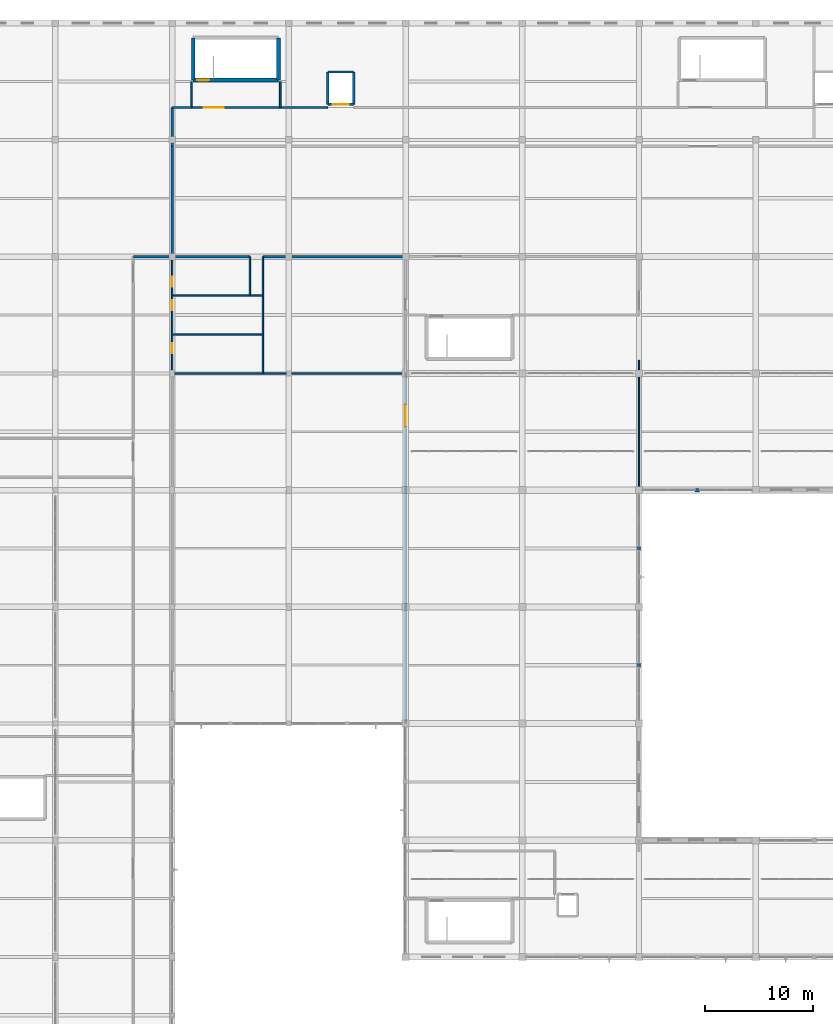
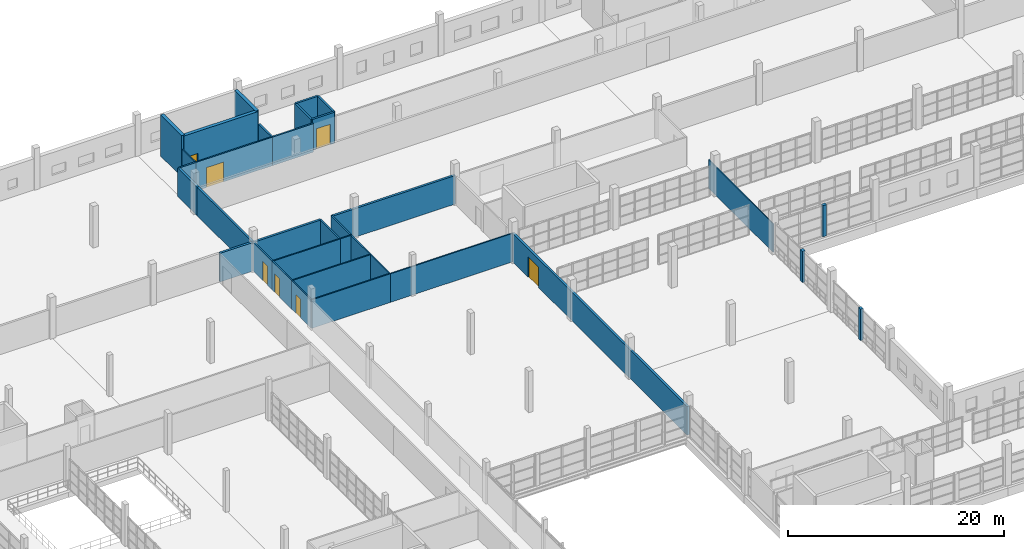
# One storey, part 107 of 142: 34 walls, 7 doors, 7 openings.
"""IFC4 building model written with IfcOpenShell, lengths in metres."""

from ifc_helpers import new_model, si_unit, direction, frame, frame_2d, origin, place, context, subcontext, project, spatial, rectangle, extrude, material, layer, layer_set, type_object, element, fill, save


model = new_model("IFC4")

# Units and contexts
model_context = context("Model", 3, precision=1e-05, world=origin(), true_north=direction((0.0, 1.0)))
body_context = subcontext(model_context, "Body", "Model", "MODEL_VIEW")
ifc_project = project(units=[si_unit("LENGTHUNIT", "METRE"), si_unit("AREAUNIT", "SQUARE_METRE"), si_unit("VOLUMEUNIT", "CUBIC_METRE"), si_unit("PLANEANGLEUNIT", "RADIAN"), si_unit("MASSUNIT", "GRAM", prefix="KILO")], contexts=[model_context])

# Site, building, storey
site_placement = place(None, origin())
site = spatial("IfcSite", under=ifc_project, at=site_placement, CompositionType="ELEMENT")
building_placement = place(site_placement, origin())
building = spatial("IfcBuilding", under=site, at=building_placement, Name="Zwinboog Wholesale Market", CompositionType="ELEMENT")
storey_placement = place(building_placement, frame((0.0, 0.0, 5.39990234375)))
storey = spatial("IfcBuildingStorey", under=building, at=storey_placement, Name="L01", CompositionType="ELEMENT", Elevation=5.39990234375)

# Walls
ifc_material_1 = material(Name="Precast concrete C45/55", Category="concrete")
ifc_layer_1 = layer(ifc_material_1, 0.304931640625)
ifc_layer_set_1 = layer_set([ifc_layer_1], Name="Precast concrete C45/55")
wall_type_1 = type_object("IfcWallType", Name="WT-EW-305", PredefinedType="STANDARD", material=ifc_layer_set_1)
for number, where, z_axis, x_axis, name in (
    (1, (86.39990234375, 70.0, 0.0), (0.0, 0.0, 1.0), (0.0, 1.0, 0.0), "EW-07 (WL-PIER-L01-125)"),
    (2, (86.39990234375, 80.800048828125, 0.0), (0.0, 0.0, 1.0), (0.0, 1.0, 0.0), "EW-07 (WL-PIER-L01-126)"),
    (3, (91.60009765625, 86.39990234375, 0.0), (0.0, 0.0, 1.0), (1.0, 0.0, 0.0), "EW-07 (WL-PIER-L01-130)"),
):
    element("IfcWall", number, at=place(storey_placement, frame(where, z_axis=z_axis, x_axis=x_axis)), inside=storey, type_object=wall_type_1, Name=name, PredefinedType="STANDARD", context=body_context, shape_type="SweptSolid", body=[
        extrude(rectangle(XDim=0.39990234375, YDim=0.304931640625, at=frame_2d((0.199951171875, 0.0))), origin(), (0.0, 0.0, 1.0), 3.530029296875),
    ])

# Wall, opening, door
ifc_material_2 = material(Name="Concrete C40/50", Category="concrete")
ifc_layer_2 = layer(ifc_material_2, 0.35009765625)
ifc_layer_set_2 = layer_set([ifc_layer_2], Name="Concrete C40/50")
wall_type_2 = type_object("IfcWallType", Name="WT-SW-350", PredefinedType="SHEAR", material=ifc_layer_set_2)
wall_1_placement = place(storey_placement, frame((45.14990234375, 124.35009765625, 0.0), z_axis=(0.0, 0.0, 1.0), x_axis=(1.0, 0.0, 0.0)))
wall_1 = element("IfcWall", 4, at=wall_1_placement, inside=storey, type_object=wall_type_2, Name="SW-04 (WL-SW-L01-021)", PredefinedType="SHEAR", context=body_context, shape_type="SweptSolid", body=[
    extrude(rectangle(XDim=7.900146484375, YDim=0.35009765625, at=frame_2d((3.9501953125, 0.0))), origin(), (0.0, 0.0, 1.0), 4.68017578125),
])
opening_1_placement = place(wall_1_placement, frame((0.3798828125, 0.0, 0.0)))
opening_1 = element("IfcOpeningElement", 5, at=opening_1_placement, cuts=wall_1, Name="Opening FD-0006", PredefinedType="OPENING", context=body_context, shape_type="SweptSolid", body=[
    extrude(rectangle(XDim=1.10009765625, YDim=2.199951171875, at=frame_2d((0.550048828125, 1.10009765625))), frame((0.0, 0.18505859375, 0.0), z_axis=(0.0, -1.0, 0.0), x_axis=(1.0, 0.0, 0.0)), (0.0, 0.0, 1.0), 0.3701171875),
])
ifc_material_3 = material(Name="Timber and powder-coated steel door leaf", Category="steel")
door_type_1 = type_object("IfcDoorType", Name="IDT-FD-02", OperationType="NOTDEFINED", PredefinedType="DOOR", material=ifc_material_3)
door_1_placement = place(opening_1_placement, frame((1.10009765625, 0.0, 0.0), z_axis=(0.0, 0.0, 1.0), x_axis=(-1.0, 0.0, 0.0)))
door_1 = element("IfcDoor", 6, at=door_1_placement, inside=storey, type_object=door_type_1, Name="Core Fire Door FD-0006", OperationType="SINGLE_SWING_LEFT", OverallHeight=2.199951171875, OverallWidth=1.10009765625, PredefinedType="DOOR", context=body_context, shape_type="SweptSolid", body=[
    extrude(rectangle(XDim=1.10009765625, YDim=2.199951171875, at=frame_2d((0.550048828125, 1.10009765625))), frame((0.0, 0.02490234375, 0.0), z_axis=(0.0, -1.0, 0.0), x_axis=(1.0, 0.0, 0.0)), (0.0, 0.0, 1.0), 0.050048828125),
])
fill(opening_1, door_1)

# Walls
for number, where, z_axis, x_axis, name in (
    (7, (45.14990234375, 124.35009765625, 0.0), (0.0, 0.0, 1.0), (0.0, 1.0, 0.0), "SW-04 (WL-SW-L01-023)"),
    (8, (53.050048828125, 124.35009765625, 0.0), (0.0, 0.0, 1.0), (0.0, 1.0, 0.0), "SW-04 (WL-SW-L01-024)"),
):
    element("IfcWall", number, at=place(storey_placement, frame(where, z_axis=z_axis, x_axis=x_axis)), inside=storey, type_object=wall_type_2, Name=name, PredefinedType="SHEAR", context=body_context, shape_type="SweptSolid", body=[
        extrude(rectangle(XDim=3.89990234375, YDim=0.35009765625, at=frame_2d((1.949951171875, 0.0))), origin(), (0.0, 0.0, 1.0), 4.68017578125),
    ])

# Wall, opening, door
ifc_layer_3 = layer(ifc_material_1, 0.199951171875)
ifc_layer_set_3 = layer_set([ifc_layer_3], Name="Precast concrete C45/55")
wall_type_3 = type_object("IfcWallType", Name="WT-IW-200", PredefinedType="SOLIDWALL", material=ifc_layer_set_3)
wall_2_placement = place(storey_placement, frame((57.60009765625, 122.10009765625, 0.0), z_axis=(0.0, 0.0, 1.0), x_axis=(1.0, 0.0, 0.0)))
wall_2 = element("IfcWall", 9, at=wall_2_placement, inside=storey, type_object=wall_type_3, Name="IW-60 (WL-LSH-L01-233)", PredefinedType="SOLIDWALL", context=body_context, shape_type="SweptSolid", body=[
    extrude(rectangle(XDim=2.39990234375, YDim=0.199951171875, at=frame_2d((1.199951171875, 0.0))), origin(), (0.0, 0.0, 1.0), 3.5),
])
opening_2_placement = place(wall_2_placement, frame((0.449951171875, 0.0, 0.0)))
opening_2 = element("IfcOpeningElement", 10, at=opening_2_placement, cuts=wall_2, Name="Opening LD-017", PredefinedType="OPENING", context=body_context, shape_type="SweptSolid", body=[
    extrude(rectangle(XDim=1.5, YDim=2.300048828125, at=frame_2d((0.75, 1.14990234375))), frame((0.0, 0.10986328125, 0.0), z_axis=(0.0, -1.0, 0.0), x_axis=(1.0, 0.0, 0.0)), (0.0, 0.0, 1.0), 0.219970703125),
])
door_type_2 = type_object("IfcDoorType", Name="IDT-LD-150", OperationType="DOUBLE_DOOR_SLIDING", PredefinedType="DOOR", material=ifc_material_3)
door_2_placement = place(opening_2_placement, origin())
door_2 = element("IfcDoor", 11, at=door_2_placement, inside=storey, type_object=door_type_2, Name="Lift Landing Door LD-017 (LG-01)", OperationType="DOUBLE_DOOR_SLIDING", OverallHeight=2.300048828125, OverallWidth=1.5, PredefinedType="DOOR", context=body_context, shape_type="SweptSolid", body=[
    extrude(rectangle(XDim=1.5, YDim=2.300048828125, at=frame_2d((0.75, 1.14990234375))), frame((0.0, 0.02490234375, 0.0), z_axis=(0.0, -1.0, 0.0), x_axis=(1.0, 0.0, 0.0)), (0.0, 0.0, 1.0), 0.050048828125),
])
fill(opening_2, door_2)

# Walls
wall_3_placement = place(storey_placement, frame((57.60009765625, 125.10009765625, 0.0), z_axis=(0.0, 0.0, 1.0), x_axis=(1.0, 0.0, 0.0)))
element("IfcWall", 12, at=wall_3_placement, inside=storey, type_object=wall_type_3, Name="IW-60 (WL-LSH-L01-234)", PredefinedType="SOLIDWALL", context=body_context, shape_type="SweptSolid", body=[
    extrude(rectangle(XDim=2.39990234375, YDim=0.199951171875, at=frame_2d((1.199951171875, 0.0))), origin(), (0.0, 0.0, 1.0), 3.5),
])
for number, where, z_axis, x_axis, name in (
    (13, (57.60009765625, 122.10009765625, 0.0), (0.0, 0.0, 1.0), (0.0, 1.0, 0.0), "IW-60 (WL-LSH-L01-235)"),
    (14, (60.0, 122.10009765625, 0.0), (0.0, 0.0, 1.0), (0.0, 1.0, 0.0), "IW-60 (WL-LSH-L01-236)"),
):
    element("IfcWall", number, at=place(storey_placement, frame(where, z_axis=z_axis, x_axis=x_axis)), inside=storey, type_object=wall_type_3, Name=name, PredefinedType="SOLIDWALL", context=body_context, shape_type="SweptSolid", body=[
        extrude(rectangle(XDim=3.0, YDim=0.199951171875, at=frame_2d((1.5, 0.0))), origin(), (0.0, 0.0, 1.0), 3.5),
    ])
ifc_layer_4 = layer(ifc_material_1, 0.235107421875)
ifc_layer_set_4 = layer_set([ifc_layer_4], Name="Precast concrete C45/55")
wall_type_4 = type_object("IfcWallType", Name="WT-IW-235", PredefinedType="PARTITIONING", material=ifc_layer_set_4)
wall_4_placement = place(storey_placement, frame((39.60009765625, 108.0, 0.0), z_axis=(0.0, 0.0, 1.0), x_axis=(1.0, 0.0, 0.0)))
element("IfcWall", 15, at=wall_4_placement, inside=storey, type_object=wall_type_4, Name="IW-03 (WL-IN-L01-0132)", PredefinedType="PARTITIONING", context=body_context, shape_type="SweptSolid", body=[
    extrude(rectangle(XDim=3.599853515625, YDim=0.235107421875, at=frame_2d((1.7998046875, 0.0))), origin(), (0.0, 0.0, 1.0), 3.22998046875),
])

# Wall, opening, door
wall_5_placement = place(storey_placement, frame((64.800048828125, 64.800048828125, 0.0), z_axis=(0.0, 0.0, 1.0), x_axis=(0.0, 1.0, 0.0)))
wall_5 = element("IfcWall", 16, at=wall_5_placement, inside=storey, type_object=wall_type_4, Name="IW-03 (WL-IN-L01-0138)", PredefinedType="PARTITIONING", context=body_context, shape_type="SweptSolid", body=[
    extrude(rectangle(XDim=32.39990234375, YDim=0.235107421875, at=frame_2d((16.199951171875, 0.0))), origin(), (0.0, 0.0, 1.0), 3.22998046875),
])
opening_3_placement = place(wall_5_placement, frame((27.531982421875, 0.0, 0.0)))
opening_3 = element("IfcOpeningElement", 17, at=opening_3_placement, cuts=wall_5, Name="Opening IDF-0065", PredefinedType="OPENING", context=body_context, shape_type="SweptSolid", body=[
    extrude(rectangle(XDim=1.9599609375, YDim=2.300048828125, at=frame_2d((0.97998046875, 1.14990234375))), frame((0.0, 0.12744140625, 0.0), z_axis=(0.0, -1.0, 0.0), x_axis=(1.0, 0.0, 0.0)), (0.0, 0.0, 1.0), 0.255126953125),
])
door_type_3 = type_object("IfcDoorType", Name="IDT-FD-05", OperationType="DOUBLE_DOOR_SINGLE_SWING", PredefinedType="DOOR", material=ifc_material_3)
door_3_placement = place(opening_3_placement, origin())
door_3 = element("IfcDoor", 18, at=door_3_placement, inside=storey, type_object=door_type_3, Name="Interior Door IDF-0065", OperationType="DOUBLE_DOOR_SINGLE_SWING", OverallHeight=2.300048828125, OverallWidth=1.9599609375, PredefinedType="DOOR", context=body_context, shape_type="SweptSolid", body=[
    extrude(rectangle(XDim=1.9599609375, YDim=2.300048828125, at=frame_2d((0.97998046875, 1.14990234375))), frame((0.0, 0.02490234375, 0.0), z_axis=(0.0, -1.0, 0.0), x_axis=(1.0, 0.0, 0.0)), (0.0, 0.0, 1.0), 0.050048828125),
])
fill(opening_3, door_3)

# Walls
wall_6_placement = place(storey_placement, frame((43.199951171875, 108.0, 0.0), z_axis=(0.0, 0.0, 1.0), x_axis=(1.0, 0.0, 0.0)))
element("IfcWall", 19, at=wall_6_placement, inside=storey, type_object=wall_type_4, Name="IW-03 (WL-IN-L01-0180)", PredefinedType="PARTITIONING", context=body_context, shape_type="SweptSolid", body=[
    extrude(rectangle(XDim=7.199951171875, YDim=0.235107421875, at=frame_2d((3.60009765625, 0.0))), origin(), (0.0, 0.0, 1.0), 3.22998046875),
])
wall_7_placement = place(storey_placement, frame((51.60009765625, 108.0, 0.0), z_axis=(0.0, 0.0, 1.0), x_axis=(1.0, 0.0, 0.0)))
element("IfcWall", 20, at=wall_7_placement, inside=storey, type_object=wall_type_4, Name="IW-03 (WL-IN-L01-0189)", PredefinedType="PARTITIONING", context=body_context, shape_type="SweptSolid", body=[
    extrude(rectangle(XDim=13.199951171875, YDim=0.235107421875, at=frame_2d((6.60009765625, 0.0))), origin(), (0.0, 0.0, 1.0), 3.22998046875),
])
ifc_material_4 = material(Name="Insulated PIR cold-store sandwich panel")
ifc_layer_5 = layer(ifc_material_4, 0.221923828125)
ifc_layer_set_5 = layer_set([ifc_layer_5], Name="Insulated PIR cold-store sandwich panel")
wall_type_5 = type_object("IfcWallType", Name="WT-CS-222", PredefinedType="PARTITIONING", material=ifc_layer_set_5)
wall_8_placement = place(storey_placement, frame((43.199951171875, 108.0, 0.0), z_axis=(0.0, 0.0, 1.0), x_axis=(0.0, 1.0, 0.0)))
element("IfcWall", 21, at=wall_8_placement, inside=storey, type_object=wall_type_5, Name="PW-CS1 (WL-IN-L01-0181)", PredefinedType="PARTITIONING", context=body_context, shape_type="SweptSolid", body=[
    extrude(rectangle(XDim=10.199951171875, YDim=0.221923828125, at=frame_2d((5.10009765625, 0.0))), origin(), (0.0, 0.0, 1.0), 3.22998046875),
])
ifc_material_5 = material(Name="Insulated PIR freezer sandwich panel")
ifc_layer_6 = layer(ifc_material_5, 0.251953125)
ifc_layer_set_6 = layer_set([ifc_layer_6], Name="Insulated PIR freezer sandwich panel")
wall_type_6 = type_object("IfcWallType", Name="WT-CS-252", PredefinedType="PARTITIONING", material=ifc_layer_set_6)
wall_9_placement = place(storey_placement, frame((43.199951171875, 118.199951171875, 0.0), z_axis=(0.0, 0.0, 1.0), x_axis=(0.0, 1.0, 0.0)))
element("IfcWall", 22, at=wall_9_placement, inside=storey, type_object=wall_type_6, Name="PW-CS2 (WL-IN-L01-0134)", PredefinedType="PARTITIONING", context=body_context, shape_type="SweptSolid", body=[
    extrude(rectangle(XDim=3.60009765625, YDim=0.251953125, at=frame_2d((1.800048828125, 0.0))), origin(), (0.0, 0.0, 1.0), 3.22998046875),
])
ifc_material_6 = material(Name="Gypsum acoustic stud partition")
ifc_layer_7 = layer(ifc_material_6, 0.10791015625)
ifc_layer_set_7 = layer_set([ifc_layer_7], Name="Gypsum acoustic stud partition")
wall_type_7 = type_object("IfcWallType", Name="WT-PT-108", PredefinedType="PARTITIONING", material=ifc_layer_set_7)
wall_10_placement = place(storey_placement, frame((86.39990234375, 86.39990234375, 0.0), z_axis=(0.0, 0.0, 1.0), x_axis=(0.0, 1.0, 0.0)))
element("IfcWall", 23, at=wall_10_placement, inside=storey, type_object=wall_type_7, Name="PW-01 (WL-IN-L01-0202)", PredefinedType="PARTITIONING", context=body_context, shape_type="SweptSolid", body=[
    extrude(rectangle(XDim=12.0, YDim=0.10791015625, at=frame_2d((6.0, 0.0))), origin(), (0.0, 0.0, 1.0), 3.22998046875),
])

# Wall, opening, door
ifc_material_7 = material(Name="Hygienic washable stud partition")
ifc_layer_8 = layer(ifc_material_7, 0.137939453125)
ifc_layer_set_8 = layer_set([ifc_layer_8], Name="Hygienic washable stud partition")
wall_type_8 = type_object("IfcWallType", Name="WT-PT-138", PredefinedType="PARTITIONING", material=ifc_layer_set_8)
wall_11_placement = place(storey_placement, frame((43.199951171875, 97.199951171875, 0.0), z_axis=(0.0, 0.0, 1.0), x_axis=(0.0, 1.0, 0.0)))
wall_11 = element("IfcWall", 24, at=wall_11_placement, inside=storey, type_object=wall_type_8, Name="PW-03 (WL-IN-L01-0127)", PredefinedType="PARTITIONING", context=body_context, shape_type="SweptSolid", body=[
    extrude(rectangle(XDim=3.60009765625, YDim=0.137939453125, at=frame_2d((1.800048828125, 0.0))), origin(), (0.0, 0.0, 1.0), 3.22998046875),
])
opening_4_placement = place(wall_11_placement, frame((1.8798828125, 0.0, 0.0)))
opening_4 = element("IfcOpeningElement", 25, at=opening_4_placement, cuts=wall_11, Name="Opening D-0058", PredefinedType="OPENING", context=body_context, shape_type="SweptSolid", body=[
    extrude(rectangle(XDim=0.919921875, YDim=2.139892578125, at=frame_2d((0.4599609375, 1.06982421875))), frame((0.0, 0.078857421875, 0.0), z_axis=(0.0, -1.0, 0.0), x_axis=(1.0, 0.0, 0.0)), (0.0, 0.0, 1.0), 0.157958984375),
])
door_type_4 = type_object("IfcDoorType", Name="IDT-WC-02", OperationType="NOTDEFINED", PredefinedType="DOOR", material=ifc_material_3)
door_4_placement = place(opening_4_placement, origin())
door_4 = element("IfcDoor", 26, at=door_4_placement, inside=storey, type_object=door_type_4, Name="Interior Door D-0058", OperationType="SINGLE_SWING_LEFT", OverallHeight=2.139892578125, OverallWidth=0.919921875, PredefinedType="DOOR", context=body_context, shape_type="SweptSolid", body=[
    extrude(rectangle(XDim=0.919921875, YDim=2.139892578125, at=frame_2d((0.4599609375, 1.06982421875))), frame((0.0, 0.02490234375, 0.0), z_axis=(0.0, -1.0, 0.0), x_axis=(1.0, 0.0, 0.0)), (0.0, 0.0, 1.0), 0.050048828125),
])
fill(opening_4, door_4)

wall_12_placement = place(storey_placement, frame((43.199951171875, 100.800048828125, 0.0), z_axis=(0.0, 0.0, 1.0), x_axis=(0.0, 1.0, 0.0)))
wall_12 = element("IfcWall", 27, at=wall_12_placement, inside=storey, type_object=wall_type_8, Name="PW-03 (WL-IN-L01-0128)", PredefinedType="PARTITIONING", context=body_context, shape_type="SweptSolid", body=[
    extrude(rectangle(XDim=3.599853515625, YDim=0.137939453125, at=frame_2d((1.7998046875, 0.0))), origin(), (0.0, 0.0, 1.0), 3.22998046875),
])
opening_5_placement = place(wall_12_placement, frame((2.25, 0.0, 0.0)))
opening_5 = element("IfcOpeningElement", 28, at=opening_5_placement, cuts=wall_12, Name="Opening D-0059", PredefinedType="OPENING", context=body_context, shape_type="SweptSolid", body=[
    extrude(rectangle(XDim=0.89990234375, YDim=2.10009765625, at=frame_2d((0.449951171875, 1.050048828125))), frame((0.0, 0.078857421875, 0.0), z_axis=(0.0, -1.0, 0.0), x_axis=(1.0, 0.0, 0.0)), (0.0, 0.0, 1.0), 0.157958984375),
])
door_type_5 = type_object("IfcDoorType", Name="IDT-WC-01", OperationType="NOTDEFINED", PredefinedType="DOOR", material=ifc_material_3)
door_5_placement = place(opening_5_placement, origin())
door_5 = element("IfcDoor", 29, at=door_5_placement, inside=storey, type_object=door_type_5, Name="Interior Door D-0059", OperationType="SINGLE_SWING_RIGHT", OverallHeight=2.10009765625, OverallWidth=0.89990234375, PredefinedType="DOOR", context=body_context, shape_type="SweptSolid", body=[
    extrude(rectangle(XDim=0.89990234375, YDim=2.10009765625, at=frame_2d((0.449951171875, 1.050048828125))), frame((0.0, 0.02490234375, 0.0), z_axis=(0.0, -1.0, 0.0), x_axis=(1.0, 0.0, 0.0)), (0.0, 0.0, 1.0), 0.050048828125),
])
fill(opening_5, door_5)

wall_13_placement = place(storey_placement, frame((43.199951171875, 104.39990234375, 0.0), z_axis=(0.0, 0.0, 1.0), x_axis=(0.0, 1.0, 0.0)))
wall_13 = element("IfcWall", 30, at=wall_13_placement, inside=storey, type_object=wall_type_8, Name="PW-03 (WL-IN-L01-0129)", PredefinedType="PARTITIONING", context=body_context, shape_type="SweptSolid", body=[
    extrude(rectangle(XDim=3.60009765625, YDim=0.137939453125, at=frame_2d((1.800048828125, 0.0))), origin(), (0.0, 0.0, 1.0), 3.22998046875),
])
opening_6_placement = place(wall_13_placement, frame((0.800048828125, 0.0, 0.0)))
opening_6 = element("IfcOpeningElement", 31, at=opening_6_placement, cuts=wall_13, Name="Opening D-0060", PredefinedType="OPENING", context=body_context, shape_type="SweptSolid", body=[
    extrude(rectangle(XDim=0.919921875, YDim=2.139892578125, at=frame_2d((0.4599609375, 1.06982421875))), frame((0.0, 0.078857421875, 0.0), z_axis=(0.0, -1.0, 0.0), x_axis=(1.0, 0.0, 0.0)), (0.0, 0.0, 1.0), 0.157958984375),
])
door_6_placement = place(opening_6_placement, frame((0.919921875, 0.0, 0.0), z_axis=(0.0, 0.0, 1.0), x_axis=(-1.0, 0.0, 0.0)))
door_6 = element("IfcDoor", 32, at=door_6_placement, inside=storey, type_object=door_type_4, Name="Interior Door D-0060", OperationType="SINGLE_SWING_LEFT", OverallHeight=2.139892578125, OverallWidth=0.919921875, PredefinedType="DOOR", context=body_context, shape_type="SweptSolid", body=[
    extrude(rectangle(XDim=0.919921875, YDim=2.139892578125, at=frame_2d((0.4599609375, 1.06982421875))), frame((0.0, 0.02490234375, 0.0), z_axis=(0.0, -1.0, 0.0), x_axis=(1.0, 0.0, 0.0)), (0.0, 0.0, 1.0), 0.050048828125),
])
fill(opening_6, door_6)

# Walls
wall_14_placement = place(storey_placement, frame((43.199951171875, 97.199951171875, 0.0), z_axis=(0.0, 0.0, 1.0), x_axis=(1.0, 0.0, 0.0)))
element("IfcWall", 33, at=wall_14_placement, inside=storey, type_object=wall_type_8, Name="PW-03 (WL-IN-L01-0133)", PredefinedType="PARTITIONING", context=body_context, shape_type="SweptSolid", body=[
    extrude(rectangle(XDim=8.400146484375, YDim=0.137939453125, at=frame_2d((4.2001953125, 0.0))), origin(), (0.0, 0.0, 1.0), 3.22998046875),
])
wall_15_placement = place(storey_placement, frame((51.60009765625, 97.199951171875, 0.0), z_axis=(0.0, 0.0, 1.0), x_axis=(1.0, 0.0, 0.0)))
element("IfcWall", 34, at=wall_15_placement, inside=storey, type_object=wall_type_8, Name="PW-03 (WL-IN-L01-0136)", PredefinedType="PARTITIONING", context=body_context, shape_type="SweptSolid", body=[
    extrude(rectangle(XDim=13.199951171875, YDim=0.137939453125, at=frame_2d((6.60009765625, 0.0))), origin(), (0.0, 0.0, 1.0), 3.22998046875),
])
wall_16_placement = place(storey_placement, frame((43.199951171875, 100.800048828125, 0.0), z_axis=(0.0, 0.0, 1.0), x_axis=(1.0, 0.0, 0.0)))
element("IfcWall", 35, at=wall_16_placement, inside=storey, type_object=wall_type_8, Name="PW-03 (WL-IN-L01-0178)", PredefinedType="PARTITIONING", context=body_context, shape_type="SweptSolid", body=[
    extrude(rectangle(XDim=8.400146484375, YDim=0.137939453125, at=frame_2d((4.2001953125, 0.0))), origin(), (0.0, 0.0, 1.0), 3.22998046875),
])
wall_17_placement = place(storey_placement, frame((43.199951171875, 104.39990234375, 0.0), z_axis=(0.0, 0.0, 1.0), x_axis=(1.0, 0.0, 0.0)))
element("IfcWall", 36, at=wall_17_placement, inside=storey, type_object=wall_type_8, Name="PW-03 (WL-IN-L01-0179)", PredefinedType="PARTITIONING", context=body_context, shape_type="SweptSolid", body=[
    extrude(rectangle(XDim=7.199951171875, YDim=0.137939453125, at=frame_2d((3.60009765625, 0.0))), origin(), (0.0, 0.0, 1.0), 3.22998046875),
])
wall_18_placement = place(storey_placement, frame((50.39990234375, 104.39990234375, 0.0), z_axis=(0.0, 0.0, 1.0), x_axis=(1.0, 0.0, 0.0)))
element("IfcWall", 37, at=wall_18_placement, inside=storey, type_object=wall_type_8, Name="PW-03 (WL-IN-L01-0184)", PredefinedType="PARTITIONING", context=body_context, shape_type="SweptSolid", body=[
    extrude(rectangle(XDim=1.2001953125, YDim=0.137939453125, at=frame_2d((0.60009765625, 0.0))), origin(), (0.0, 0.0, 1.0), 3.22998046875),
])
for number, where, z_axis, x_axis, name in (
    (38, (50.39990234375, 104.39990234375, 0.0), (0.0, 0.0, 1.0), (0.0, 1.0, 0.0), "PW-03 (WL-IN-L01-0185)"),
    (39, (51.60009765625, 97.199951171875, 0.0), (0.0, 0.0, 1.0), (0.0, 1.0, 0.0), "PW-03 (WL-IN-L01-0186)"),
):
    element("IfcWall", number, at=place(storey_placement, frame(where, z_axis=z_axis, x_axis=x_axis)), inside=storey, type_object=wall_type_8, Name=name, PredefinedType="PARTITIONING", context=body_context, shape_type="SweptSolid", body=[
        extrude(rectangle(XDim=3.60009765625, YDim=0.137939453125, at=frame_2d((1.800048828125, 0.0))), origin(), (0.0, 0.0, 1.0), 3.22998046875),
    ])
wall_19_placement = place(storey_placement, frame((51.60009765625, 100.800048828125, 0.0), z_axis=(0.0, 0.0, 1.0), x_axis=(0.0, 1.0, 0.0)))
element("IfcWall", 40, at=wall_19_placement, inside=storey, type_object=wall_type_8, Name="PW-03 (WL-IN-L01-0187)", PredefinedType="PARTITIONING", context=body_context, shape_type="SweptSolid", body=[
    extrude(rectangle(XDim=3.599853515625, YDim=0.137939453125, at=frame_2d((1.7998046875, 0.0))), origin(), (0.0, 0.0, 1.0), 3.22998046875),
])
wall_20_placement = place(storey_placement, frame((51.60009765625, 104.39990234375, 0.0), z_axis=(0.0, 0.0, 1.0), x_axis=(0.0, 1.0, 0.0)))
element("IfcWall", 41, at=wall_20_placement, inside=storey, type_object=wall_type_8, Name="PW-03 (WL-IN-L01-0188)", PredefinedType="PARTITIONING", context=body_context, shape_type="SweptSolid", body=[
    extrude(rectangle(XDim=3.60009765625, YDim=0.137939453125, at=frame_2d((1.800048828125, 0.0))), origin(), (0.0, 0.0, 1.0), 3.22998046875),
])

# Wall, opening, door
ifc_material_8 = material(Name="Fire-rated corridor stud partition")
ifc_layer_9 = layer(ifc_material_8, 0.154052734375)
ifc_layer_set_9 = layer_set([ifc_layer_9], Name="Fire-rated corridor stud partition")
wall_type_9 = type_object("IfcWallType", Name="WT-PT-154", PredefinedType="PARTITIONING", material=ifc_layer_set_9)
wall_21_placement = place(storey_placement, frame((45.0, 121.800048828125, 0.0), z_axis=(0.0, 0.0, 1.0), x_axis=(1.0, 0.0, 0.0)))
wall_21 = element("IfcWall", 42, at=wall_21_placement, inside=storey, type_object=wall_type_9, Name="PW-04 (WL-IN-L01-0121)", PredefinedType="PARTITIONING", context=body_context, shape_type="SweptSolid", body=[
    extrude(rectangle(XDim=8.199951171875, YDim=0.154052734375, at=frame_2d((4.10009765625, 0.0))), origin(), (0.0, 0.0, 1.0), 3.22998046875),
])
opening_7_placement = place(wall_21_placement, frame((1.139892578125, 0.0, 0.0)))
opening_7 = element("IfcOpeningElement", 43, at=opening_7_placement, cuts=wall_21, Name="Opening IDF-0052", PredefinedType="OPENING", context=body_context, shape_type="SweptSolid", body=[
    extrude(rectangle(XDim=1.820068359375, YDim=2.25, at=frame_2d((0.91015625, 1.125))), frame((0.0, 0.0869140625, 0.0), z_axis=(0.0, -1.0, 0.0), x_axis=(1.0, 0.0, 0.0)), (0.0, 0.0, 1.0), 0.174072265625),
])
door_type_6 = type_object("IfcDoorType", Name="IDT-FD-04", OperationType="DOUBLE_DOOR_SINGLE_SWING", PredefinedType="DOOR", material=ifc_material_3)
door_7_placement = place(opening_7_placement, origin())
door_7 = element("IfcDoor", 44, at=door_7_placement, inside=storey, type_object=door_type_6, Name="Interior Door IDF-0052", OperationType="DOUBLE_DOOR_SINGLE_SWING", OverallHeight=2.25, OverallWidth=1.820068359375, PredefinedType="DOOR", context=body_context, shape_type="SweptSolid", body=[
    extrude(rectangle(XDim=1.820068359375, YDim=2.25, at=frame_2d((0.91015625, 1.125))), frame((0.0, 0.02490234375, 0.0), z_axis=(0.0, -1.0, 0.0), x_axis=(1.0, 0.0, 0.0)), (0.0, 0.0, 1.0), 0.050048828125),
])
fill(opening_7, door_7)

# Walls
wall_22_placement = place(storey_placement, frame((45.0, 121.800048828125, 0.0), z_axis=(0.0, 0.0, 1.0), x_axis=(0.0, 1.0, 0.0)))
element("IfcWall", 45, at=wall_22_placement, inside=storey, type_object=wall_type_9, Name="PW-04 (WL-IN-L01-0183)", PredefinedType="PARTITIONING", context=body_context, shape_type="SweptSolid", body=[
    extrude(rectangle(XDim=2.39990234375, YDim=0.154052734375, at=frame_2d((1.199951171875, 0.0))), origin(), (0.0, 0.0, 1.0), 3.22998046875),
])
ifc_material_9 = material(Name="Laboratory acoustic partition")
ifc_layer_10 = layer(ifc_material_9, 0.16796875)
ifc_layer_set_10 = layer_set([ifc_layer_10], Name="Laboratory acoustic partition")
wall_type_10 = type_object("IfcWallType", Name="WT-PT-168", PredefinedType="PARTITIONING", material=ifc_layer_set_10)
wall_23_placement = place(storey_placement, frame((43.199951171875, 121.800048828125, 0.0), z_axis=(0.0, 0.0, 1.0), x_axis=(1.0, 0.0, 0.0)))
element("IfcWall", 46, at=wall_23_placement, inside=storey, type_object=wall_type_10, Name="PW-05 (WL-IN-L01-0182)", PredefinedType="PARTITIONING", context=body_context, shape_type="SweptSolid", body=[
    extrude(rectangle(XDim=1.800048828125, YDim=0.16796875, at=frame_2d((0.89990234375, 0.0))), origin(), (0.0, 0.0, 1.0), 3.22998046875),
])
wall_24_placement = place(storey_placement, frame((53.199951171875, 121.800048828125, 0.0), z_axis=(0.0, 0.0, 1.0), x_axis=(1.0, 0.0, 0.0)))
element("IfcWall", 47, at=wall_24_placement, inside=storey, type_object=wall_type_10, Name="PW-05 (WL-IN-L01-0190)", PredefinedType="PARTITIONING", context=body_context, shape_type="SweptSolid", body=[
    extrude(rectangle(XDim=4.380126953125, YDim=0.16796875, at=frame_2d((2.18994140625, 0.0))), origin(), (0.0, 0.0, 1.0), 3.22998046875),
])
wall_25_placement = place(storey_placement, frame((53.199951171875, 121.800048828125, 0.0), z_axis=(0.0, 0.0, 1.0), x_axis=(0.0, 1.0, 0.0)))
element("IfcWall", 48, at=wall_25_placement, inside=storey, type_object=wall_type_10, Name="PW-05 (WL-IN-L01-0192)", PredefinedType="PARTITIONING", context=body_context, shape_type="SweptSolid", body=[
    extrude(rectangle(XDim=2.39990234375, YDim=0.16796875, at=frame_2d((1.199951171875, 0.0))), origin(), (0.0, 0.0, 1.0), 3.22998046875),
])

save(model, "model.ifc")
